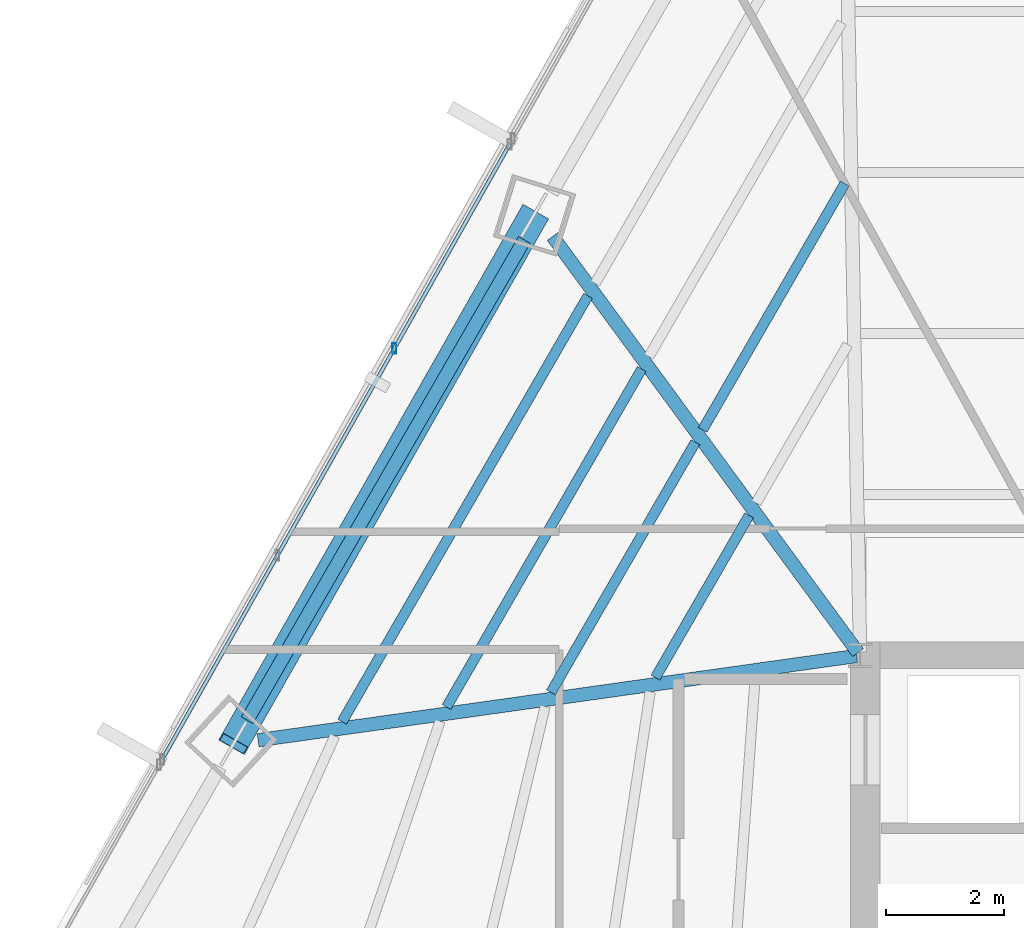
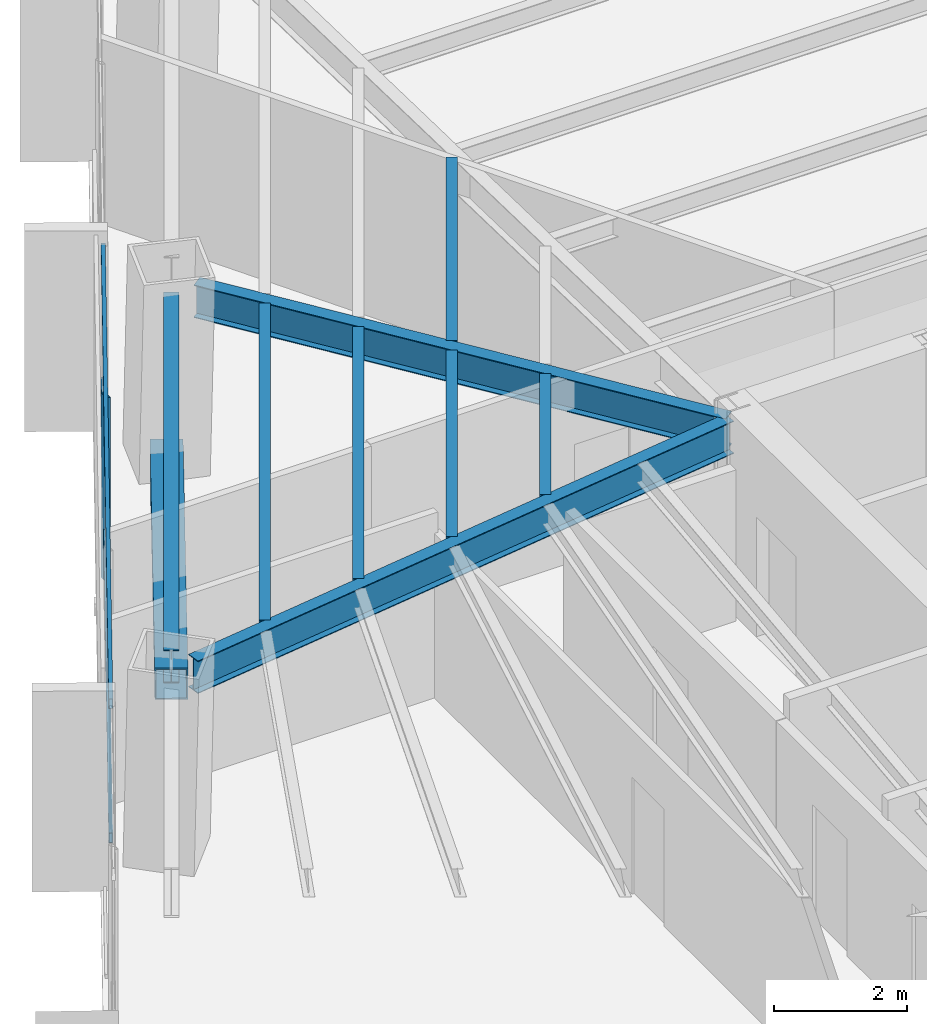
# One storey, part 13 of 35: 8 beams, 4 members, 1 element without a shape of its own.
"""IFC4 building model written with IfcOpenShell, lengths in metres."""

from ifc_helpers import new_model, si_unit, direction, frame, origin, origin_2d, place, context, subcontext, project, spatial, hollow_rectangle, i_section, extrude, source, transform, mapped, material, material_profile, profile_set, type_object, type_shapes, element, aggregate, save


model = new_model("IFC4")

# Units and contexts
model_context = context("Model", 3, precision=1e-05, world=origin(), true_north=direction((0.0, 1.0)))
body_context = subcontext(model_context, "Body", "Model", "MODEL_VIEW")
ifc_project = project(units=[si_unit("LENGTHUNIT", "METRE"), si_unit("AREAUNIT", "SQUARE_METRE"), si_unit("VOLUMEUNIT", "CUBIC_METRE"), si_unit("PLANEANGLEUNIT", "RADIAN"), si_unit("MASSUNIT", "GRAM", prefix="KILO")], contexts=[model_context])

# Site, building, storey
site_placement = place(None, origin())
site = spatial("IfcSite", under=ifc_project, at=site_placement, CompositionType="ELEMENT")
building_placement = place(site_placement, origin())
building = spatial("IfcBuilding", under=site, at=building_placement, Name="Caelisora Broadcast Tower", CompositionType="ELEMENT")
storey_placement = place(building_placement, frame((0.0, 0.0, 87.14990234375)))
storey = spatial("IfcBuildingStorey", under=building, at=storey_placement, Name="L22", CompositionType="ELEMENT", Elevation=87.14990234375)

# Beams
ifc_material_1 = material(Name="Steel Grade 350 (AS/NZS 3679.1)", Category="steel")
ifc_material_profile_1 = material_profile(ifc_material_1, i_section(OverallWidth=0.22900390625, OverallDepth=0.611572265625, WebThickness=0.011962890625, FlangeThickness=0.01953125, at=origin_2d()), Name="Steel Grade 350 (AS/NZS 3679.1)")
ifc_profile_set_1 = profile_set([ifc_material_profile_1], Name="Steel Grade 350 (AS/NZS 3679.1)")
beam_type_1 = type_object("IfcBeamType", Name="PG03", PredefinedType="BEAM", material=ifc_profile_set_1)
shared_shape_1 = source(origin(), body_context, "Body", "SweptSolid", [
    extrude(i_section(OverallWidth=0.22900390625, OverallDepth=0.611572265625, WebThickness=0.011962890625, FlangeThickness=0.01953125, at=origin_2d()), origin(), (0.0, 0.0, 1.0), 9.40234375),
])
type_shapes(beam_type_1, [shared_shape_1])
beam_1_placement = place(storey_placement, frame((24.806884765625, 37.04541015625, 3.09423828125), z_axis=(-0.500004164094, -0.86602299963, 0.0), x_axis=(0.86602299963, -0.500004164094, 0.0)))
element("IfcBeam", 1, at=beam_1_placement, inside=storey, type_object=beam_type_1, Name="L22 beam PG03", PredefinedType="BEAM", context=body_context, shape_type="MappedRepresentation", body=[
    mapped(shared_shape_1, transform((0.0, 0.0, 0.0), scale=1.0)),
])
ifc_material_profile_2 = material_profile(ifc_material_1, i_section(OverallWidth=0.22802734375, OverallDepth=0.602294921875, WebThickness=0.010498046875, FlangeThickness=0.014892578125, at=origin_2d()), Name="Steel Grade 350 (AS/NZS 3679.1)")
ifc_profile_set_2 = profile_set([ifc_material_profile_2], Name="Steel Grade 350 (AS/NZS 3679.1)")
beam_type_2 = type_object("IfcBeamType", Name="PG04", PredefinedType="BEAM", material=ifc_profile_set_2)
shared_shape_2 = source(origin(), body_context, "Body", "SweptSolid", [
    extrude(i_section(OverallWidth=0.22802734375, OverallDepth=0.602294921875, WebThickness=0.010498046875, FlangeThickness=0.014892578125, at=origin_2d()), origin(), (0.0, 0.0, 1.0), 8.75341796875),
])
beam_2_placement = place(storey_placement, frame((30.464599609375, 30.04833984375, 3.098876953125), z_axis=(-0.591671948963, 0.8061788293, 0.0), x_axis=(-0.8061788293, -0.591671948963, 0.0)))
element("IfcBeam", 2, at=beam_2_placement, inside=storey, type_object=beam_type_2, Name="L22 beam PG04", PredefinedType="BEAM", context=body_context, shape_type="MappedRepresentation", body=[
    mapped(shared_shape_2, transform((0.0, 0.0, 0.0), scale=1.0)),
])
shared_shape_3 = source(origin(), body_context, "Body", "SweptSolid", [
    extrude(i_section(OverallWidth=0.22802734375, OverallDepth=0.602294921875, WebThickness=0.010498046875, FlangeThickness=0.014892578125, at=origin_2d()), origin(), (0.0, 0.0, 1.0), 10.2490234375),
])
type_shapes(beam_type_2, [shared_shape_2, shared_shape_3])
beam_3_placement = place(storey_placement, frame((30.440673828125, 29.99169921875, 3.098876953125), z_axis=(-0.990236140465, -0.139400093673, 0.0), x_axis=(0.139400093673, -0.990236140465, 0.0)))
element("IfcBeam", 3, at=beam_3_placement, inside=storey, type_object=beam_type_2, Name="L22 beam PG04", PredefinedType="BEAM", context=body_context, shape_type="MappedRepresentation", body=[
    mapped(shared_shape_3, transform((0.0, 0.0, 0.0), scale=1.0)),
])
ifc_material_profile_3 = material_profile(ifc_material_1, i_section(OverallWidth=0.172119140625, OverallDepth=0.358642578125, WebThickness=0.008056640625, FlangeThickness=0.012939453125, at=origin_2d()), Name="Steel Grade 350 (AS/NZS 3679.1)")
ifc_profile_set_3 = profile_set([ifc_material_profile_3], Name="Steel Grade 350 (AS/NZS 3679.1)")
beam_type_3 = type_object("IfcBeamType", Name="SB02", PredefinedType="JOIST", material=ifc_profile_set_3)
shared_shape_4 = source(origin(), body_context, "Body", "SweptSolid", [
    extrude(i_section(OverallWidth=0.172119140625, OverallDepth=0.358642578125, WebThickness=0.008056640625, FlangeThickness=0.012939453125, at=origin_2d()), origin(), (0.0, 0.0, 1.0), 4.821533203125),
])
beam_4_placement = place(storey_placement, frame((30.239990234375, 38.002685546875, 3.220703125), z_axis=(-0.49998398663, -0.86603464891, 0.0), x_axis=(0.86603464891, -0.49998398663, 0.0)))
element("IfcBeam", 4, at=beam_4_placement, inside=storey, type_object=beam_type_3, Name="L22 beam SB02", PredefinedType="JOIST", context=body_context, shape_type="MappedRepresentation", body=[
    mapped(shared_shape_4, transform((0.0, 0.0, 0.0), scale=1.0)),
])
shared_shape_5 = source(origin(), body_context, "Body", "SweptSolid", [
    extrude(i_section(OverallWidth=0.172119140625, OverallDepth=0.358642578125, WebThickness=0.008056640625, FlangeThickness=0.012939453125, at=origin_2d()), origin(), (0.0, 0.0, 1.0), 3.17724609375),
])
beam_5_placement = place(storey_placement, frame((28.6181640625, 32.3759765625, 3.220703125), z_axis=(-0.499981853705, -0.866035880299, 0.0), x_axis=(0.866035880299, -0.499981853705, 0.0)))
element("IfcBeam", 5, at=beam_5_placement, inside=storey, type_object=beam_type_3, Name="L22 beam SB02", PredefinedType="JOIST", context=body_context, shape_type="MappedRepresentation", body=[
    mapped(shared_shape_5, transform((0.0, 0.0, 0.0), scale=1.0)),
])
shared_shape_6 = source(origin(), body_context, "Body", "SweptSolid", [
    extrude(i_section(OverallWidth=0.172119140625, OverallDepth=0.358642578125, WebThickness=0.008056640625, FlangeThickness=0.012939453125, at=origin_2d()), origin(), (0.0, 0.0, 1.0), 4.89794921875),
])
beam_6_placement = place(storey_placement, frame((27.707763671875, 33.61669921875, 3.220703125), z_axis=(-0.500004352405, -0.866022890907, 0.0), x_axis=(0.866022890907, -0.500004352405, 0.0)))
element("IfcBeam", 6, at=beam_6_placement, inside=storey, type_object=beam_type_3, Name="L22 beam SB02", PredefinedType="JOIST", context=body_context, shape_type="MappedRepresentation", body=[
    mapped(shared_shape_6, transform((0.0, 0.0, 0.0), scale=1.0)),
])
shared_shape_7 = source(origin(), body_context, "Body", "SweptSolid", [
    extrude(i_section(OverallWidth=0.172119140625, OverallDepth=0.358642578125, WebThickness=0.008056640625, FlangeThickness=0.012939453125, at=origin_2d()), origin(), (0.0, 0.0, 1.0), 6.61865234375),
])
beam_7_placement = place(storey_placement, frame((26.797119140625, 34.857421875, 3.220703125), z_axis=(-0.499971514742, -0.866041849131, 0.0), x_axis=(0.866041849131, -0.499971514742, 0.0)))
element("IfcBeam", 7, at=beam_7_placement, inside=storey, type_object=beam_type_3, Name="L22 beam SB02", PredefinedType="JOIST", context=body_context, shape_type="MappedRepresentation", body=[
    mapped(shared_shape_7, transform((0.0, 0.0, 0.0), scale=1.0)),
])
shared_shape_8 = source(origin(), body_context, "Body", "SweptSolid", [
    extrude(i_section(OverallWidth=0.172119140625, OverallDepth=0.358642578125, WebThickness=0.008056640625, FlangeThickness=0.012939453125, at=origin_2d()), origin(), (0.0, 0.0, 1.0), 8.338623046875),
])
type_shapes(beam_type_3, [shared_shape_4, shared_shape_5, shared_shape_6, shared_shape_7, shared_shape_8])
beam_8_placement = place(storey_placement, frame((25.88671875, 36.097900390625, 3.220703125), z_axis=(-0.50001221745, -0.866018349921, 0.0), x_axis=(0.866018349921, -0.50001221745, 0.0)))
element("IfcBeam", 8, at=beam_8_placement, inside=storey, type_object=beam_type_3, Name="L22 beam SB02", PredefinedType="JOIST", context=body_context, shape_type="MappedRepresentation", body=[
    mapped(shared_shape_8, transform((0.0, 0.0, 0.0), scale=1.0)),
])

# Member
ifc_material_2 = material(Name="Steel Grade 450 L15 (AS/NZS 3678)", Category="steel")
ifc_material_profile_4 = material_profile(ifc_material_2, hollow_rectangle(XDim=0.5, YDim=0.5, WallThickness=0.02001953125, at=origin_2d()), Name="Steel Grade 450 L15 (AS/NZS 3678)")
ifc_profile_set_4 = profile_set([ifc_material_profile_4], Name="Steel Grade 450 L15 (AS/NZS 3678)")
member_type_1 = type_object("IfcMemberType", Name="BR02", PredefinedType="BRACE", material=ifc_profile_set_4)
shared_shape_9 = source(origin(), body_context, "Body", "SweptSolid", [
    extrude(hollow_rectangle(XDim=0.5, YDim=0.5, WallThickness=0.02001953125, at=origin_2d()), origin(), (0.0, 0.0, 1.0), 10.734130859375),
])
type_shapes(member_type_1, [shared_shape_9])
member_1_placement = place(storey_placement, frame((24.96630859375, 37.4658203125, 0.10009765625), z_axis=(-0.474242966133, -0.834855034045, 0.279482881773), x_axis=(0.86950418902, -0.493925566535, 0.0)))
element("IfcMember", 9, at=member_1_placement, inside=storey, type_object=member_type_1, Name="L22 perimeter brace BR02", PredefinedType="BRACE", context=body_context, shape_type="MappedRepresentation", body=[
    mapped(shared_shape_9, transform((0.0, 0.0, 0.0), scale=1.0)),
])

# Curtain wall, members
ifc_material_3 = material(Name="Unitised Aluminium Insulated Shadow-Box Spandrel Curtain Wall", Category="aluminium")
curtain_wall_type = type_object("IfcCurtainWallType", Name="CW-SP1", PredefinedType="NOTDEFINED", material=ifc_material_3)
curtain_wall_placement = place(storey_placement, origin())
curtain_wall = element("IfcCurtainWall", 10, at=curtain_wall_placement, inside=storey, type_object=curtain_wall_type, Name="L22 curtain wall CW-SP1", PredefinedType="NOTDEFINED")
ifc_material_4 = material(Name="Aluminium 6063-T6 Anodised Terracotta Bronze", Category="aluminium")
ifc_material_profile_5 = material_profile(ifc_material_4, hollow_rectangle(XDim=0.06494140625, YDim=0.179931640625, WallThickness=0.00341796875, at=origin_2d()), Name="Aluminium 6063-T6 Anodised Terracotta Bronze")
ifc_profile_set_5 = profile_set([ifc_material_profile_5], Name="Aluminium 6063-T6 Anodised Terracotta Bronze")
member_type_2 = type_object("IfcMemberType", Name="CWM-02", PredefinedType="MULLION", material=ifc_profile_set_5)
shared_shape_10 = source(origin(), body_context, "Body", "SweptSolid", [
    extrude(hollow_rectangle(XDim=0.06494140625, YDim=0.179931640625, WallThickness=0.00341796875, at=origin_2d()), origin(), (0.0, 0.0, 1.0), 3.400146484375),
])
type_shapes(member_type_2, [shared_shape_10])
member_2_placement = place(storey_placement, frame((22.601806640625, 35.204833984375, 0.0), z_axis=(0.0, 0.0, 1.0), x_axis=(1.0, 0.0, 0.0)))
member_2 = element("IfcMember", 11, at=member_2_placement, type_object=member_type_2, Name="L22-CW-B10 mullion #2", PredefinedType="MULLION", context=body_context, shape_type="MappedRepresentation", body=[
    mapped(shared_shape_10, transform((0.0, 0.0, 0.0), scale=1.0)),
])
ifc_material_profile_6 = material_profile(ifc_material_4, hollow_rectangle(XDim=0.06494140625, YDim=0.179931640625, WallThickness=0.00341796875, at=origin_2d()), Name="Aluminium 6063-T6 Anodised Terracotta Bronze")
ifc_profile_set_6 = profile_set([ifc_material_profile_6], Name="Aluminium 6063-T6 Anodised Terracotta Bronze")
member_type_3 = type_object("IfcMemberType", Name="CWT-01", PredefinedType="USERDEFINED", material=ifc_profile_set_6)
shared_shape_11 = source(origin(), body_context, "Body", "SweptSolid", [
    extrude(hollow_rectangle(XDim=0.06494140625, YDim=0.179931640625, WallThickness=0.00341796875, at=origin_2d()), origin(), (0.0, 0.0, 1.0), 11.97900390625),
])
type_shapes(member_type_3, [shared_shape_11])
member_3_placement = place(storey_placement, frame((18.66650390625, 28.236572265625, 0.85009765625), z_axis=(0.491767110248, 0.870726770737, 0.0), x_axis=(-0.870726770737, 0.491767110248, 0.0)))
member_3 = element("IfcMember", 12, at=member_3_placement, type_object=member_type_3, Name="L22-CW-B10 transom #1", ObjectType="TRANSOM", PredefinedType="USERDEFINED", context=body_context, shape_type="MappedRepresentation", body=[
    mapped(shared_shape_11, transform((0.0, 0.0, 0.0), scale=1.0)),
])
member_4_placement = place(storey_placement, frame((18.66650390625, 28.236572265625, 3.320068359375), z_axis=(0.491767110248, 0.870726770737, 0.0), x_axis=(-0.870726770737, 0.491767110248, 0.0)))
member_4 = element("IfcMember", 13, at=member_4_placement, type_object=member_type_3, Name="L22-CW-B10 transom #2", ObjectType="TRANSOM", PredefinedType="USERDEFINED", context=body_context, shape_type="MappedRepresentation", body=[
    mapped(shared_shape_11, transform((0.0, 0.0, 0.0), scale=1.0)),
])
aggregate(curtain_wall, [member_2, member_3, member_4])

save(model, "model.ifc")
